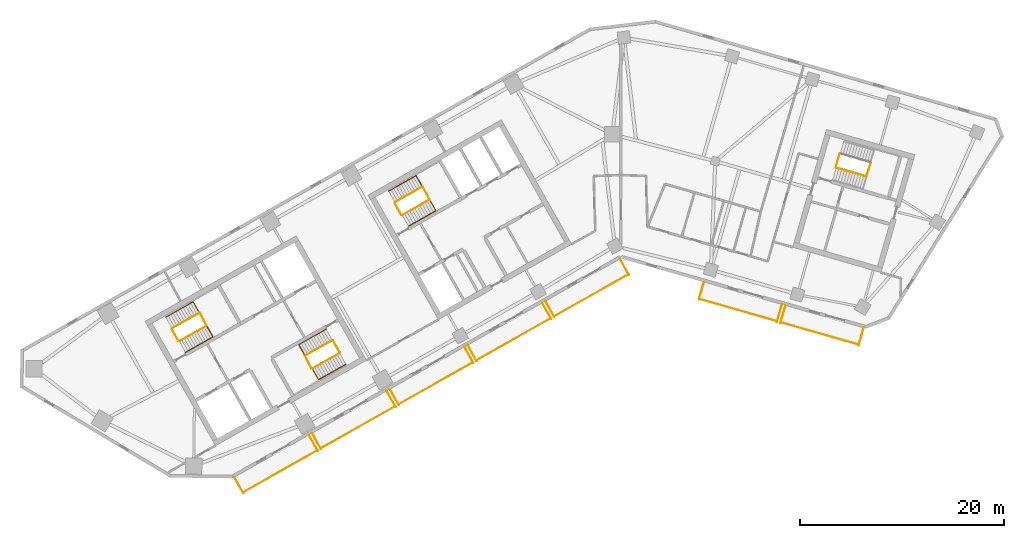
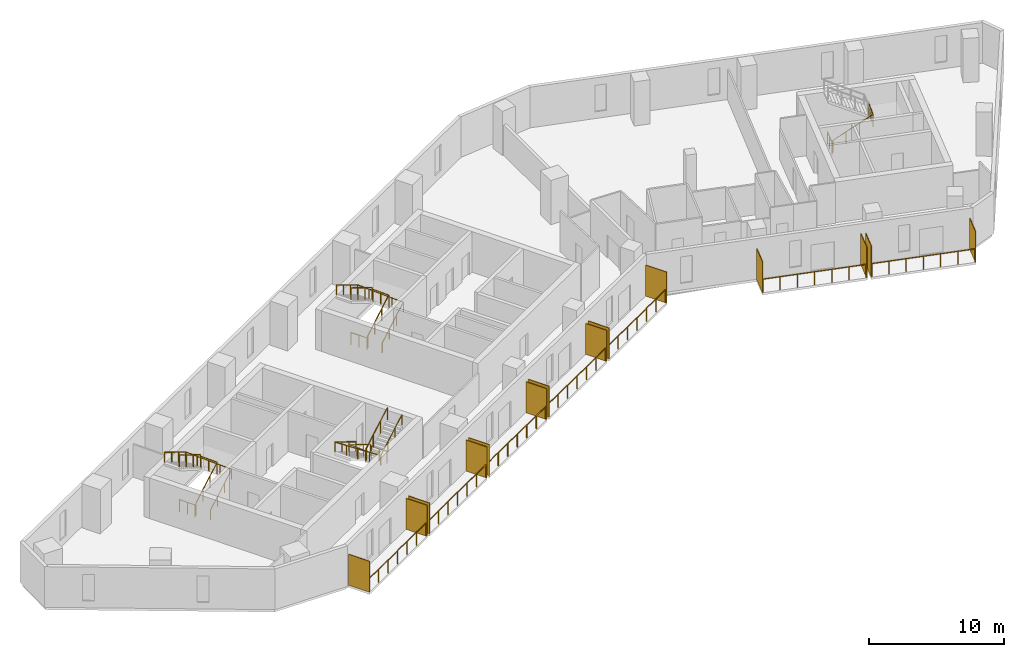
# One storey, part 8 of 9: 21 railings, 14 shading devices.
"""IFC4 building model written with IfcOpenShell, lengths in metres."""

from ifc_helpers import new_model, si_unit, direction, frame, origin, origin_2d, place, context, subcontext, project, spatial, rectangle, circle, extrude, material, layer, layer_set, type_object, element, save


model = new_model("IFC4")

# Units and contexts
model_context = context("Model", 3, precision=1e-05, world=origin(), true_north=direction((0.0, 1.0)))
body_context = subcontext(model_context, "Body", "Model", "MODEL_VIEW")
ifc_project = project(units=[si_unit("LENGTHUNIT", "METRE"), si_unit("AREAUNIT", "SQUARE_METRE"), si_unit("VOLUMEUNIT", "CUBIC_METRE"), si_unit("PLANEANGLEUNIT", "RADIAN"), si_unit("MASSUNIT", "GRAM", prefix="KILO")], contexts=[model_context])

# Site, building, storey
site_placement = place(None, origin())
site = spatial("IfcSite", under=ifc_project, at=site_placement, CompositionType="ELEMENT")
building_placement = place(site_placement, origin())
building = spatial("IfcBuilding", under=site, at=building_placement, Name="Binnacle Exchange Tower", CompositionType="ELEMENT")
storey_placement = place(building_placement, frame((0.0, 0.0, 166.89990234375)))
storey = spatial("IfcBuildingStorey", under=building, at=storey_placement, Name="L35", CompositionType="ELEMENT", Elevation=166.89990234375)

# Railings
ifc_material_1 = material(Name="Bronze anodised aluminium frame", Category="aluminium")
railing_type_1 = type_object("IfcRailingType", Name="GUARD 1200", PredefinedType="GUARDRAIL", material=ifc_material_1)
railing_1_placement = place(storey_placement, frame((-36.994140625, 24.921142578125, 0.0)))
element("IfcRailing", 1, at=railing_1_placement, inside=storey, type_object=railing_type_1, Name="Balcony guard G01-B00 L35", PredefinedType="GUARDRAIL", context=body_context, shape_type="SweptSolid", body=[
    extrude(circle(Radius=0.02392578125, at=origin_2d()), frame((0.0, 0.0, 1.17578125), z_axis=(0.8703461643, 0.49244040684, 0.0), x_axis=(-0.49244040684, 0.8703461643, 0.0)), (0.0, 0.0, 1.0), 8.33447265625),
    extrude(circle(Radius=0.02099609375, at=origin_2d()), origin(), (0.0, 0.0, 1.0), 1.15185546875),
    extrude(circle(Radius=0.02099609375, at=origin_2d()), frame((1.208984375, 0.68408203125, 0.0)), (0.0, 0.0, 1.0), 1.15185546875),
    extrude(circle(Radius=0.02099609375, at=origin_2d()), frame((2.41796875, 1.3681640625, 0.0)), (0.0, 0.0, 1.0), 1.15185546875),
    extrude(circle(Radius=0.02099609375, at=origin_2d()), frame((3.626953125, 2.05224609375, 0.0)), (0.0, 0.0, 1.0), 1.15185546875),
    extrude(circle(Radius=0.02099609375, at=origin_2d()), frame((4.8359375, 2.736083984375, 0.0)), (0.0, 0.0, 1.0), 1.15185546875),
    extrude(circle(Radius=0.02099609375, at=origin_2d()), frame((6.044921875, 3.420166015625, 0.0)), (0.0, 0.0, 1.0), 1.15185546875),
    extrude(circle(Radius=0.02099609375, at=origin_2d()), frame((7.25390625, 4.104248046875, 0.0)), (0.0, 0.0, 1.0), 1.15185546875),
])
railing_2_placement = place(storey_placement, frame((-29.374755859375, 29.232177734375, 0.0)))
element("IfcRailing", 2, at=railing_2_placement, inside=storey, type_object=railing_type_1, Name="Balcony guard G01-B01 L35", PredefinedType="GUARDRAIL", context=body_context, shape_type="SweptSolid", body=[
    extrude(circle(Radius=0.02392578125, at=origin_2d()), frame((0.0, 0.0, 1.17578125), z_axis=(0.870365821494, 0.492405662818, 0.0), x_axis=(-0.492405662818, 0.870365821494, 0.0)), (0.0, 0.0, 1.0), 8.334716796875),
    extrude(circle(Radius=0.02099609375, at=origin_2d()), origin(), (0.0, 0.0, 1.0), 1.15185546875),
    extrude(circle(Radius=0.02099609375, at=origin_2d()), frame((1.208984375, 0.68408203125, 0.0)), (0.0, 0.0, 1.0), 1.15185546875),
    extrude(circle(Radius=0.02099609375, at=origin_2d()), frame((2.41796875, 1.367919921875, 0.0)), (0.0, 0.0, 1.0), 1.15185546875),
    extrude(circle(Radius=0.02099609375, at=origin_2d()), frame((3.626953125, 2.052001953125, 0.0)), (0.0, 0.0, 1.0), 1.15185546875),
    extrude(circle(Radius=0.02099609375, at=origin_2d()), frame((4.836181640625, 2.736083984375, 0.0)), (0.0, 0.0, 1.0), 1.15185546875),
    extrude(circle(Radius=0.02099609375, at=origin_2d()), frame((6.045166015625, 3.419921875, 0.0)), (0.0, 0.0, 1.0), 1.15185546875),
    extrude(circle(Radius=0.02099609375, at=origin_2d()), frame((7.254150390625, 4.10400390625, 0.0)), (0.0, 0.0, 1.0), 1.15185546875),
])
railing_3_placement = place(storey_placement, frame((-21.7548828125, 33.54296875, 0.0)))
element("IfcRailing", 3, at=railing_3_placement, inside=storey, type_object=railing_type_1, Name="Balcony guard G01-B02 L35", PredefinedType="GUARDRAIL", context=body_context, shape_type="SweptSolid", body=[
    extrude(circle(Radius=0.02392578125, at=origin_2d()), frame((0.0, 0.0, 1.17578125), z_axis=(0.870339060608, 0.492452961795, 0.0), x_axis=(-0.492452961795, 0.870339060608, 0.0)), (0.0, 0.0, 1.0), 8.334228515625),
    extrude(circle(Radius=0.02099609375, at=origin_2d()), origin(), (0.0, 0.0, 1.0), 1.15185546875),
    extrude(circle(Radius=0.02099609375, at=origin_2d()), frame((1.208984375, 0.68408203125, 0.0)), (0.0, 0.0, 1.0), 1.15185546875),
    extrude(circle(Radius=0.02099609375, at=origin_2d()), frame((2.41796875, 1.3681640625, 0.0)), (0.0, 0.0, 1.0), 1.15185546875),
    extrude(circle(Radius=0.02099609375, at=origin_2d()), frame((3.626953125, 2.05224609375, 0.0)), (0.0, 0.0, 1.0), 1.15185546875),
    extrude(circle(Radius=0.02099609375, at=origin_2d()), frame((4.835693359375, 2.736083984375, 0.0)), (0.0, 0.0, 1.0), 1.15185546875),
    extrude(circle(Radius=0.02099609375, at=origin_2d()), frame((6.044677734375, 3.420166015625, 0.0)), (0.0, 0.0, 1.0), 1.15185546875),
    extrude(circle(Radius=0.02099609375, at=origin_2d()), frame((7.253662109375, 4.104248046875, 0.0)), (0.0, 0.0, 1.0), 1.15185546875),
])
railing_4_placement = place(storey_placement, frame((-14.135498046875, 37.85400390625, 0.0)))
element("IfcRailing", 4, at=railing_4_placement, inside=storey, type_object=railing_type_1, Name="Balcony guard G01-B03 L35", PredefinedType="GUARDRAIL", context=body_context, shape_type="SweptSolid", body=[
    extrude(circle(Radius=0.02392578125, at=origin_2d()), frame((0.0, 0.0, 1.17578125), z_axis=(0.870365821494, 0.492405662818, 0.0), x_axis=(-0.492405662818, 0.870365821494, 0.0)), (0.0, 0.0, 1.0), 8.334716796875),
    extrude(circle(Radius=0.02099609375, at=origin_2d()), origin(), (0.0, 0.0, 1.0), 1.15185546875),
    extrude(circle(Radius=0.02099609375, at=origin_2d()), frame((1.208984375, 0.68408203125, 0.0)), (0.0, 0.0, 1.0), 1.15185546875),
    extrude(circle(Radius=0.02099609375, at=origin_2d()), frame((2.41796875, 1.367919921875, 0.0)), (0.0, 0.0, 1.0), 1.15185546875),
    extrude(circle(Radius=0.02099609375, at=origin_2d()), frame((3.626953125, 2.052001953125, 0.0)), (0.0, 0.0, 1.0), 1.15185546875),
    extrude(circle(Radius=0.02099609375, at=origin_2d()), frame((4.836181640625, 2.736083984375, 0.0)), (0.0, 0.0, 1.0), 1.15185546875),
    extrude(circle(Radius=0.02099609375, at=origin_2d()), frame((6.045166015625, 3.419921875, 0.0)), (0.0, 0.0, 1.0), 1.15185546875),
    extrude(circle(Radius=0.02099609375, at=origin_2d()), frame((7.254150390625, 4.10400390625, 0.0)), (0.0, 0.0, 1.0), 1.15185546875),
])
railing_5_placement = place(storey_placement, frame((-6.515869140625, 42.164794921875, 0.0)))
element("IfcRailing", 5, at=railing_5_placement, inside=storey, type_object=railing_type_1, Name="Balcony guard G01-B04 L35", PredefinedType="GUARDRAIL", context=body_context, shape_type="SweptSolid", body=[
    extrude(circle(Radius=0.02392578125, at=origin_2d()), frame((0.0, 0.0, 1.17578125), z_axis=(0.8703461643, 0.49244040684, 0.0), x_axis=(-0.49244040684, 0.8703461643, 0.0)), (0.0, 0.0, 1.0), 8.33447265625),
    extrude(circle(Radius=0.02099609375, at=origin_2d()), origin(), (0.0, 0.0, 1.0), 1.15185546875),
    extrude(circle(Radius=0.02099609375, at=origin_2d()), frame((1.208984375, 0.68408203125, 0.0)), (0.0, 0.0, 1.0), 1.15185546875),
    extrude(circle(Radius=0.02099609375, at=origin_2d()), frame((2.41796875, 1.3681640625, 0.0)), (0.0, 0.0, 1.0), 1.15185546875),
    extrude(circle(Radius=0.02099609375, at=origin_2d()), frame((3.626953125, 2.05224609375, 0.0)), (0.0, 0.0, 1.0), 1.15185546875),
    extrude(circle(Radius=0.02099609375, at=origin_2d()), frame((4.8359375, 2.736083984375, 0.0)), (0.0, 0.0, 1.0), 1.15185546875),
    extrude(circle(Radius=0.02099609375, at=origin_2d()), frame((6.044921875, 3.420166015625, 0.0)), (0.0, 0.0, 1.0), 1.15185546875),
    extrude(circle(Radius=0.02099609375, at=origin_2d()), frame((7.25390625, 4.104248046875, 0.0)), (0.0, 0.0, 1.0), 1.15185546875),
])
for number, where, name in (
    (6, (7.6845703125, 43.85107421875, 0.0), "Balcony guard G02-B01 L35"),
    (7, (15.6826171875, 41.5576171875, 0.0), "Balcony guard G02-B02 L35"),
):
    element("IfcRailing", number, at=place(storey_placement, frame(where)), inside=storey, type_object=railing_type_1, Name=name, PredefinedType="GUARDRAIL", context=body_context, shape_type="SweptSolid", body=[
        extrude(circle(Radius=0.02392578125, at=origin_2d()), frame((0.0, 0.0, 1.17578125), z_axis=(0.961265805968, -0.275623022035, 0.0), x_axis=(0.275623022035, 0.961265805968, 0.0)), (0.0, 0.0, 1.0), 7.900146484375),
        extrude(circle(Radius=0.02099609375, at=origin_2d()), origin(), (0.0, 0.0, 1.0), 1.15185546875),
        extrude(circle(Radius=0.02099609375, at=origin_2d()), frame((1.265625, -0.36279296875, 0.0)), (0.0, 0.0, 1.0), 1.15185546875),
        extrude(circle(Radius=0.02099609375, at=origin_2d()), frame((2.531494140625, -0.725830078125, 0.0)), (0.0, 0.0, 1.0), 1.15185546875),
        extrude(circle(Radius=0.02099609375, at=origin_2d()), frame((3.797119140625, -1.0888671875, 0.0)), (0.0, 0.0, 1.0), 1.15185546875),
        extrude(circle(Radius=0.02099609375, at=origin_2d()), frame((5.062744140625, -1.45166015625, 0.0)), (0.0, 0.0, 1.0), 1.15185546875),
        extrude(circle(Radius=0.02099609375, at=origin_2d()), frame((6.32861328125, -1.814453125, 0.0)), (0.0, 0.0, 1.0), 1.15185546875),
        extrude(circle(Radius=0.02099609375, at=origin_2d()), frame((7.59423828125, -2.177490234375, 0.0)), (0.0, 0.0, 1.0), 1.15185546875),
    ])

# Shading devices
ifc_material_2 = material(Name="Bronze aluminium louvre", Category="aluminium")
ifc_layer = layer(ifc_material_2, 0.06005859375)
ifc_layer_set = layer_set([ifc_layer], Name="PLANTED SCREEN 60x2800")
shading_device_type = type_object("IfcShadingDeviceType", Name="PLANTED SCREEN 60x2800", PredefinedType="USERDEFINED", material=ifc_layer_set)
for number, where, z_axis, x_axis, name in (
    (8, (-37.424072265625, 25.6201171875, 0.0), (0.0, 0.0, 1.0), (0.87035569594, 0.492423560103, 0.0), "Planted screen G01-B00a L35"),
    (9, (-30.117919921875, 29.753662109375, 0.0), (0.0, 0.0, 1.0), (0.87035569594, 0.492423560103, 0.0), "Planted screen G01-B00b L35"),
    (10, (-29.8046875, 29.930908203125, 0.0), (0.0, 0.0, 1.0), (0.87035569594, 0.492423560103, 0.0), "Planted screen G01-B01a L35"),
    (11, (-22.498291015625, 34.064697265625, 0.0), (0.0, 0.0, 1.0), (0.87035569594, 0.492423560103, 0.0), "Planted screen G01-B01b L35"),
    (12, (-22.184814453125, 34.241943359375, 0.0), (0.0, 0.0, 1.0), (0.87035569594, 0.492423560103, 0.0), "Planted screen G01-B02a L35"),
    (13, (-14.878662109375, 38.37548828125, 0.0), (0.0, 0.0, 1.0), (0.87035569594, 0.492423560103, 0.0), "Planted screen G01-B02b L35"),
    (14, (-14.5654296875, 38.552978515625, 0.0), (0.0, 0.0, 1.0), (0.87035569594, 0.492423560103, 0.0), "Planted screen G01-B03a L35"),
    (15, (-7.259033203125, 42.6865234375, 0.0), (0.0, 0.0, 1.0), (0.87035569594, 0.492423560103, 0.0), "Planted screen G01-B03b L35"),
    (16, (-6.94580078125, 42.864013671875, 0.0), (0.0, 0.0, 1.0), (0.87035569594, 0.492423560103, 0.0), "Planted screen G01-B04a L35"),
    (17, (0.3603515625, 46.99755859375, 0.0), (0.0, 0.0, 1.0), (0.87035569594, 0.492423560103, 0.0), "Planted screen G01-B04b L35"),
    (18, (7.881591796875, 44.647705078125, 0.0), (0.0, 0.0, 1.0), (0.961261695938, -0.275637355817, 0.0), "Planted screen G02-B01a L35"),
    (19, (15.53369140625, 42.45361328125, 0.0), (0.0, 0.0, 1.0), (0.961261695938, -0.275637355817, 0.0), "Planted screen G02-B01b L35"),
    (20, (15.8798828125, 42.354248046875, 0.0), (0.0, 0.0, 1.0), (0.961261695938, -0.275637355817, 0.0), "Planted screen G02-B02a L35"),
    (21, (23.53173828125, 40.16015625, 0.0), (0.0, 0.0, 1.0), (0.961261695938, -0.275637355817, 0.0), "Planted screen G02-B02b L35"),
):
    element("IfcShadingDevice", number, at=place(storey_placement, frame(where, z_axis=z_axis, x_axis=x_axis)), inside=storey, type_object=shading_device_type, Name=name, ObjectType="SCREEN", PredefinedType="USERDEFINED", context=body_context, shape_type="SweptSolid", body=[
        extrude(rectangle(XDim=0.06005859375, YDim=1.800048828125, at=origin_2d()), origin(), (0.0, 0.0, 1.0), 2.800048828125),
    ])

# Railings
ifc_material_3 = material(Name="Steel guard rail", Category="steel")
railing_type_2 = type_object("IfcRailingType", Name="STAIR GUARD 1100", PredefinedType="GUARDRAIL", material=ifc_material_3)
railing_6_placement = place(storey_placement, frame((-43.26171875, 39.71728515625, 0.166748046875)))
element("IfcRailing", 22, at=railing_6_placement, inside=storey, type_object=railing_type_2, Name="L35 STA1 stair guard 1", PredefinedType="GUARDRAIL", context=body_context, shape_type="SweptSolid", body=[
    extrude(circle(Radius=0.02392578125, at=origin_2d()), frame((0.0, 0.0, 1.076171875), z_axis=(0.747900833971, 0.423129324283, 0.511474258861), x_axis=(-0.492412445098, 0.870361984414, 0.0)), (0.0, 0.0, 1.0), 3.584228515625),
    extrude(circle(Radius=0.02392578125, at=origin_2d()), frame((2.6806640625, 1.5166015625, 2.9091796875), z_axis=(-0.461100321709, 0.887348011391, 0.0), x_axis=(-0.887348011391, -0.461100321709, 0.0)), (0.0, 0.0, 1.0), 1.40087890625),
    extrude(circle(Radius=0.02099609375, at=origin_2d()), origin(), (0.0, 0.0, 1.0), 1.052001953125),
    extrude(circle(Radius=0.02099609375, at=origin_2d()), frame((0.8935546875, 0.505615234375, 0.611083984375)), (0.0, 0.0, 1.0), 1.052001953125),
    extrude(circle(Radius=0.02099609375, at=origin_2d()), frame((1.787109375, 1.010986328125, 1.22216796875)), (0.0, 0.0, 1.0), 1.052001953125),
    extrude(circle(Radius=0.02099609375, at=origin_2d()), frame((2.6806640625, 1.5166015625, 1.833251953125)), (0.0, 0.0, 1.0), 1.052001953125),
    extrude(circle(Radius=0.02099609375, at=origin_2d()), frame((2.357666015625, 2.13818359375, 1.833251953125)), (0.0, 0.0, 1.0), 1.052001953125),
    extrude(circle(Radius=0.02099609375, at=origin_2d()), frame((2.03466796875, 2.759765625, 1.833251953125)), (0.0, 0.0, 1.0), 1.052001953125),
])
railing_7_placement = place(storey_placement, frame((-41.295166015625, 42.49609375, 2.166748046875)))
element("IfcRailing", 23, at=railing_7_placement, inside=storey, type_object=railing_type_2, Name="L35 STA1 stair guard 2", PredefinedType="GUARDRAIL", context=body_context, shape_type="SweptSolid", body=[
    extrude(circle(Radius=0.02392578125, at=origin_2d()), frame((0.0, 0.0, 1.076171875), z_axis=(-0.747879277632, -0.423185241524, 0.511459516916), x_axis=(0.492472489424, -0.870328011247, 0.0)), (0.0, 0.0, 1.0), 3.58447265625),
    extrude(circle(Radius=0.02099609375, at=origin_2d()), origin(), (0.0, 0.0, 1.0), 1.052001953125),
    extrude(circle(Radius=0.02099609375, at=origin_2d()), frame((-0.8935546875, -0.505615234375, 0.611083984375)), (0.0, 0.0, 1.0), 1.052001953125),
    extrude(circle(Radius=0.02099609375, at=origin_2d()), frame((-1.787109375, -1.01123046875, 1.22216796875)), (0.0, 0.0, 1.0), 1.052001953125),
    extrude(circle(Radius=0.02099609375, at=origin_2d()), frame((-2.6806640625, -1.516845703125, 1.833251953125)), (0.0, 0.0, 1.0), 1.052001953125),
])
railing_8_placement = place(storey_placement, frame((-43.329833984375, 39.736328125, 0.0)))
element("IfcRailing", 24, at=railing_8_placement, inside=storey, type_object=railing_type_2, Name="L35 STA1 stair guard 3", PredefinedType="GUARDRAIL", context=body_context, shape_type="SweptSolid", body=[
    extrude(circle(Radius=0.02392578125, at=origin_2d()), frame((0.0, 0.0, 1.076171875), z_axis=(-0.4924922531, 0.870316827734, 0.0), x_axis=(-0.870316827734, -0.4924922531, 0.0)), (0.0, 0.0, 1.0), 1.349853515625),
    extrude(circle(Radius=0.02099609375, at=origin_2d()), origin(), (0.0, 0.0, 1.0), 1.052001953125),
    extrude(circle(Radius=0.02099609375, at=origin_2d()), frame((-0.33251953125, 0.58740234375, 0.0)), (0.0, 0.0, 1.0), 1.052001953125),
    extrude(circle(Radius=0.02099609375, at=origin_2d()), frame((-0.664794921875, 1.1748046875, 0.0)), (0.0, 0.0, 1.0), 1.052001953125),
])
railing_9_placement = place(storey_placement, frame((-28.265380859375, 39.814453125, 0.166748046875)))
element("IfcRailing", 25, at=railing_9_placement, inside=storey, type_object=railing_type_2, Name="L35 STA2 stair guard 1", PredefinedType="GUARDRAIL", context=body_context, shape_type="SweptSolid", body=[
    extrude(circle(Radius=0.02392578125, at=origin_2d()), frame((0.0, 0.0, 1.076171875), z_axis=(-0.747900833971, -0.423129324283, 0.511474258861), x_axis=(0.492412445098, -0.870361984414, 0.0)), (0.0, 0.0, 1.0), 3.584228515625),
    extrude(circle(Radius=0.02392578125, at=origin_2d()), frame((-2.6806640625, -1.5166015625, 2.9091796875), z_axis=(0.460963092712, -0.887419307406, 0.0), x_axis=(0.887419307406, 0.460963092712, 0.0)), (0.0, 0.0, 1.0), 1.40087890625),
    extrude(circle(Radius=0.02099609375, at=origin_2d()), origin(), (0.0, 0.0, 1.0), 1.052001953125),
    extrude(circle(Radius=0.02099609375, at=origin_2d()), frame((-0.8935546875, -0.505615234375, 0.611083984375)), (0.0, 0.0, 1.0), 1.052001953125),
    extrude(circle(Radius=0.02099609375, at=origin_2d()), frame((-1.787109375, -1.010986328125, 1.22216796875)), (0.0, 0.0, 1.0), 1.052001953125),
    extrude(circle(Radius=0.02099609375, at=origin_2d()), frame((-2.6806640625, -1.5166015625, 1.833251953125)), (0.0, 0.0, 1.0), 1.052001953125),
    extrude(circle(Radius=0.02099609375, at=origin_2d()), frame((-2.35791015625, -2.13818359375, 1.833251953125)), (0.0, 0.0, 1.0), 1.052001953125),
    extrude(circle(Radius=0.02099609375, at=origin_2d()), frame((-2.034912109375, -2.759765625, 1.833251953125)), (0.0, 0.0, 1.0), 1.052001953125),
])
railing_10_placement = place(storey_placement, frame((-30.232177734375, 37.035888671875, 2.166748046875)))
element("IfcRailing", 26, at=railing_10_placement, inside=storey, type_object=railing_type_2, Name="L35 STA2 stair guard 2", PredefinedType="GUARDRAIL", context=body_context, shape_type="SweptSolid", body=[
    extrude(circle(Radius=0.02392578125, at=origin_2d()), frame((0.0, 0.0, 1.076171875), z_axis=(0.747900833971, 0.423129324283, 0.511474258861), x_axis=(-0.492412445098, 0.870361984414, 0.0)), (0.0, 0.0, 1.0), 3.584228515625),
    extrude(circle(Radius=0.02099609375, at=origin_2d()), origin(), (0.0, 0.0, 1.0), 1.052001953125),
    extrude(circle(Radius=0.02099609375, at=origin_2d()), frame((0.8935546875, 0.505615234375, 0.611083984375)), (0.0, 0.0, 1.0), 1.052001953125),
    extrude(circle(Radius=0.02099609375, at=origin_2d()), frame((1.787109375, 1.010986328125, 1.22216796875)), (0.0, 0.0, 1.0), 1.052001953125),
    extrude(circle(Radius=0.02099609375, at=origin_2d()), frame((2.6806640625, 1.5166015625, 1.833251953125)), (0.0, 0.0, 1.0), 1.052001953125),
])
railing_11_placement = place(storey_placement, frame((-28.197265625, 39.795654296875, 0.0)))
element("IfcRailing", 27, at=railing_11_placement, inside=storey, type_object=railing_type_2, Name="L35 STA2 stair guard 3", PredefinedType="GUARDRAIL", context=body_context, shape_type="SweptSolid", body=[
    extrude(circle(Radius=0.02392578125, at=origin_2d()), frame((0.0, 0.0, 1.076171875), z_axis=(0.49241474071, -0.870360685654, 0.0), x_axis=(0.870360685654, 0.49241474071, 0.0)), (0.0, 0.0, 1.0), 1.35009765625),
    extrude(circle(Radius=0.02099609375, at=origin_2d()), origin(), (0.0, 0.0, 1.0), 1.052001953125),
    extrude(circle(Radius=0.02099609375, at=origin_2d()), frame((0.33251953125, -0.58740234375, 0.0)), (0.0, 0.0, 1.0), 1.052001953125),
    extrude(circle(Radius=0.02099609375, at=origin_2d()), frame((0.664794921875, -1.175048828125, 0.0)), (0.0, 0.0, 1.0), 1.052001953125),
])
railing_12_placement = place(storey_placement, frame((-21.423828125, 52.07275390625, 0.166748046875)))
element("IfcRailing", 28, at=railing_12_placement, inside=storey, type_object=railing_type_2, Name="L35 STC1 stair guard 1", PredefinedType="GUARDRAIL", context=body_context, shape_type="SweptSolid", body=[
    extrude(circle(Radius=0.02392578125, at=origin_2d()), frame((0.0, 0.0, 1.076171875), z_axis=(0.747900833971, 0.423129324283, 0.511474258861), x_axis=(-0.492412445098, 0.870361984414, 0.0)), (0.0, 0.0, 1.0), 3.584228515625),
    extrude(circle(Radius=0.02392578125, at=origin_2d()), frame((2.6806640625, 1.5166015625, 2.9091796875), z_axis=(-0.460963092712, 0.887419307406, 0.0), x_axis=(-0.887419307406, -0.460963092712, 0.0)), (0.0, 0.0, 1.0), 1.40087890625),
    extrude(circle(Radius=0.02099609375, at=origin_2d()), origin(), (0.0, 0.0, 1.0), 1.052001953125),
    extrude(circle(Radius=0.02099609375, at=origin_2d()), frame((0.8935546875, 0.505615234375, 0.611083984375)), (0.0, 0.0, 1.0), 1.052001953125),
    extrude(circle(Radius=0.02099609375, at=origin_2d()), frame((1.787109375, 1.010986328125, 1.22216796875)), (0.0, 0.0, 1.0), 1.052001953125),
    extrude(circle(Radius=0.02099609375, at=origin_2d()), frame((2.6806640625, 1.5166015625, 1.833251953125)), (0.0, 0.0, 1.0), 1.052001953125),
    extrude(circle(Radius=0.02099609375, at=origin_2d()), frame((2.35791015625, 2.13818359375, 1.833251953125)), (0.0, 0.0, 1.0), 1.052001953125),
    extrude(circle(Radius=0.02099609375, at=origin_2d()), frame((2.034912109375, 2.759765625, 1.833251953125)), (0.0, 0.0, 1.0), 1.052001953125),
])
railing_13_placement = place(storey_placement, frame((-19.45703125, 54.851318359375, 2.166748046875)))
element("IfcRailing", 29, at=railing_13_placement, inside=storey, type_object=railing_type_2, Name="L35 STC1 stair guard 2", PredefinedType="GUARDRAIL", context=body_context, shape_type="SweptSolid", body=[
    extrude(circle(Radius=0.02392578125, at=origin_2d()), frame((0.0, 0.0, 1.076171875), z_axis=(-0.747900833971, -0.423129324283, 0.511474258861), x_axis=(0.492412445098, -0.870361984414, 0.0)), (0.0, 0.0, 1.0), 3.584228515625),
    extrude(circle(Radius=0.02099609375, at=origin_2d()), origin(), (0.0, 0.0, 1.0), 1.052001953125),
    extrude(circle(Radius=0.02099609375, at=origin_2d()), frame((-0.8935546875, -0.505615234375, 0.611083984375)), (0.0, 0.0, 1.0), 1.052001953125),
    extrude(circle(Radius=0.02099609375, at=origin_2d()), frame((-1.787109375, -1.010986328125, 1.22216796875)), (0.0, 0.0, 1.0), 1.052001953125),
    extrude(circle(Radius=0.02099609375, at=origin_2d()), frame((-2.6806640625, -1.5166015625, 1.833251953125)), (0.0, 0.0, 1.0), 1.052001953125),
])
railing_14_placement = place(storey_placement, frame((-21.491943359375, 52.091552734375, 0.0)))
element("IfcRailing", 30, at=railing_14_placement, inside=storey, type_object=railing_type_2, Name="L35 STC1 stair guard 3", PredefinedType="GUARDRAIL", context=body_context, shape_type="SweptSolid", body=[
    extrude(circle(Radius=0.02392578125, at=origin_2d()), frame((0.0, 0.0, 1.076171875), z_axis=(-0.49241474071, 0.870360685654, 0.0), x_axis=(-0.870360685654, -0.49241474071, 0.0)), (0.0, 0.0, 1.0), 1.35009765625),
    extrude(circle(Radius=0.02099609375, at=origin_2d()), origin(), (0.0, 0.0, 1.0), 1.052001953125),
    extrude(circle(Radius=0.02099609375, at=origin_2d()), frame((-0.33251953125, 0.58740234375, 0.0)), (0.0, 0.0, 1.0), 1.052001953125),
    extrude(circle(Radius=0.02099609375, at=origin_2d()), frame((-0.664794921875, 1.175048828125, 0.0)), (0.0, 0.0, 1.0), 1.052001953125),
])
railing_15_placement = place(storey_placement, frame((21.086669921875, 56.71044921875, 0.166748046875)))
element("IfcRailing", 31, at=railing_15_placement, inside=storey, type_object=railing_type_2, Name="L35 STD1 stair guard 1", PredefinedType="GUARDRAIL", context=body_context, shape_type="SweptSolid", body=[
    extrude(circle(Radius=0.02392578125, at=origin_2d()), frame((0.0, 0.0, 1.076171875), z_axis=(0.826006950853, -0.236897186037, 0.511460888427), x_axis=(0.27568413623, 0.961248280639, 0.0)), (0.0, 0.0, 1.0), 3.584228515625),
    extrude(circle(Radius=0.02392578125, at=origin_2d()), frame((2.960693359375, -0.84912109375, 2.9091796875), z_axis=(0.309684985722, 0.950839213337, 0.0), x_axis=(-0.950839213337, 0.309684985722, 0.0)), (0.0, 0.0, 1.0), 1.40087890625),
    extrude(circle(Radius=0.02099609375, at=origin_2d()), origin(), (0.0, 0.0, 1.0), 1.052001953125),
    extrude(circle(Radius=0.02099609375, at=origin_2d()), frame((0.98681640625, -0.282958984375, 0.611083984375)), (0.0, 0.0, 1.0), 1.052001953125),
    extrude(circle(Radius=0.02099609375, at=origin_2d()), frame((1.973876953125, -0.566162109375, 1.22216796875)), (0.0, 0.0, 1.0), 1.052001953125),
    extrude(circle(Radius=0.02099609375, at=origin_2d()), frame((2.960693359375, -0.84912109375, 1.833251953125)), (0.0, 0.0, 1.0), 1.052001953125),
    extrude(circle(Radius=0.02099609375, at=origin_2d()), frame((3.177734375, -0.18310546875, 1.833251953125)), (0.0, 0.0, 1.0), 1.052001953125),
    extrude(circle(Radius=0.02099609375, at=origin_2d()), frame((3.39453125, 0.48291015625, 1.833251953125)), (0.0, 0.0, 1.0), 1.052001953125),
])
railing_16_placement = place(storey_placement, frame((21.05224609375, 56.772216796875, 0.0)))
element("IfcRailing", 32, at=railing_16_placement, inside=storey, type_object=railing_type_2, Name="L35 STD1 stair guard 3", PredefinedType="GUARDRAIL", context=body_context, shape_type="SweptSolid", body=[
    extrude(circle(Radius=0.02392578125, at=origin_2d()), frame((0.0, 0.0, 1.076171875), z_axis=(0.275795817769, 0.961216243569, 0.0), x_axis=(-0.961216243569, 0.275795817769, 0.0)), (0.0, 0.0, 1.0), 1.349853515625),
    extrude(circle(Radius=0.02099609375, at=origin_2d()), origin(), (0.0, 0.0, 1.0), 1.052001953125),
    extrude(circle(Radius=0.02099609375, at=origin_2d()), frame((0.18603515625, 0.64892578125, 0.0)), (0.0, 0.0, 1.0), 1.052001953125),
    extrude(circle(Radius=0.02099609375, at=origin_2d()), frame((0.372314453125, 1.297607421875, 0.0)), (0.0, 0.0, 1.0), 1.052001953125),
])
ifc_material_4 = material(Name="Steel handrail", Category="steel")
railing_type_3 = type_object("IfcRailingType", Name="STAIR HANDRAIL 900", PredefinedType="HANDRAIL", material=ifc_material_4)
railing_17_placement = place(storey_placement, frame((-42.646240234375, 38.62939453125, 0.166748046875)))
element("IfcRailing", 33, at=railing_17_placement, inside=storey, type_object=railing_type_3, Name="L35 STA1 stair handrail 1", PredefinedType="HANDRAIL", context=body_context, shape_type="SweptSolid", body=[
    extrude(circle(Radius=0.02392578125, at=origin_2d()), frame((0.0, 0.0, 0.8759765625), z_axis=(0.747900833971, 0.423129324283, 0.511474258861), x_axis=(-0.492412445098, 0.870361984414, 0.0)), (0.0, 0.0, 1.0), 3.584228515625),
    extrude(circle(Radius=0.02392578125, at=origin_2d()), frame((2.6806640625, 1.5166015625, 2.708984375), z_axis=(-0.491975462752, 0.869586854082, 0.042176382711), x_axis=(-0.870361318571, -0.492413622004, 0.0)), (0.0, 0.0, 1.0), 3.95361328125),
    extrude(circle(Radius=0.02392578125, at=origin_2d()), frame((0.735595703125, 4.95458984375, 2.8759765625), z_axis=(-0.747900833971, -0.423129324283, 0.511474258861), x_axis=(0.492412445098, -0.870361984414, 0.0)), (0.0, 0.0, 1.0), 3.584228515625),
    extrude(circle(Radius=0.02099609375, at=origin_2d()), origin(), (0.0, 0.0, 1.0), 0.851806640625),
    extrude(circle(Radius=0.02099609375, at=origin_2d()), frame((0.8935546875, 0.505615234375, 0.611083984375)), (0.0, 0.0, 1.0), 0.851806640625),
    extrude(circle(Radius=0.02099609375, at=origin_2d()), frame((1.787109375, 1.010986328125, 1.22216796875)), (0.0, 0.0, 1.0), 0.851806640625),
    extrude(circle(Radius=0.02099609375, at=origin_2d()), frame((2.6806640625, 1.5166015625, 1.833251953125)), (0.0, 0.0, 1.0), 0.851806640625),
    extrude(circle(Radius=0.02099609375, at=origin_2d()), frame((2.1943359375, 2.3759765625, 1.875)), (0.0, 0.0, 1.0), 0.851806640625),
    extrude(circle(Radius=0.02099609375, at=origin_2d()), frame((1.7080078125, 3.235595703125, 1.91650390625)), (0.0, 0.0, 1.0), 0.851806640625),
    extrude(circle(Radius=0.02099609375, at=origin_2d()), frame((1.221923828125, 4.09521484375, 1.958251953125)), (0.0, 0.0, 1.0), 0.851806640625),
    extrude(circle(Radius=0.02099609375, at=origin_2d()), frame((0.735595703125, 4.95458984375, 2.0)), (0.0, 0.0, 1.0), 0.851806640625),
    extrude(circle(Radius=0.02099609375, at=origin_2d()), frame((-0.157958984375, 4.448974609375, 2.611083984375)), (0.0, 0.0, 1.0), 0.851806640625),
    extrude(circle(Radius=0.02099609375, at=origin_2d()), frame((-1.051513671875, 3.943603515625, 3.22216796875)), (0.0, 0.0, 1.0), 0.851806640625),
    extrude(circle(Radius=0.02099609375, at=origin_2d()), frame((-1.945068359375, 3.43798828125, 3.833251953125)), (0.0, 0.0, 1.0), 0.851806640625),
])
railing_18_placement = place(storey_placement, frame((-28.880859375, 40.90234375, 0.166748046875)))
element("IfcRailing", 34, at=railing_18_placement, inside=storey, type_object=railing_type_3, Name="L35 STA2 stair handrail 1", PredefinedType="HANDRAIL", context=body_context, shape_type="SweptSolid", body=[
    extrude(circle(Radius=0.02392578125, at=origin_2d()), frame((0.0, 0.0, 0.8759765625), z_axis=(-0.747930846092, -0.423107769413, 0.511448203561), x_axis=(0.492378474645, -0.870381202524, 0.0)), (0.0, 0.0, 1.0), 3.58447265625),
    extrude(circle(Radius=0.02392578125, at=origin_2d()), frame((-2.680908203125, -1.5166015625, 2.708984375), z_axis=(0.491975462752, -0.869586854082, 0.042176382711), x_axis=(0.870361318571, 0.492413622004, 0.0)), (0.0, 0.0, 1.0), 3.95361328125),
    extrude(circle(Radius=0.02392578125, at=origin_2d()), frame((-0.73583984375, -4.95458984375, 2.8759765625), z_axis=(0.747909291085, 0.423163685048, 0.51143346387), x_axis=(-0.49243851748, 0.870347233294, 0.0)), (0.0, 0.0, 1.0), 3.58447265625),
    extrude(circle(Radius=0.02099609375, at=origin_2d()), origin(), (0.0, 0.0, 1.0), 0.851806640625),
    extrude(circle(Radius=0.02099609375, at=origin_2d()), frame((-0.8935546875, -0.505615234375, 0.611083984375)), (0.0, 0.0, 1.0), 0.851806640625),
    extrude(circle(Radius=0.02099609375, at=origin_2d()), frame((-1.787353515625, -1.010986328125, 1.22216796875)), (0.0, 0.0, 1.0), 0.851806640625),
    extrude(circle(Radius=0.02099609375, at=origin_2d()), frame((-2.680908203125, -1.5166015625, 1.833251953125)), (0.0, 0.0, 1.0), 0.851806640625),
    extrude(circle(Radius=0.02099609375, at=origin_2d()), frame((-2.194580078125, -2.3759765625, 1.875)), (0.0, 0.0, 1.0), 0.851806640625),
    extrude(circle(Radius=0.02099609375, at=origin_2d()), frame((-1.70849609375, -3.235595703125, 1.91650390625)), (0.0, 0.0, 1.0), 0.851806640625),
    extrude(circle(Radius=0.02099609375, at=origin_2d()), frame((-1.22216796875, -4.09521484375, 1.958251953125)), (0.0, 0.0, 1.0), 0.851806640625),
    extrude(circle(Radius=0.02099609375, at=origin_2d()), frame((-0.73583984375, -4.95458984375, 2.0)), (0.0, 0.0, 1.0), 0.851806640625),
    extrude(circle(Radius=0.02099609375, at=origin_2d()), frame((0.15771484375, -4.448974609375, 2.611083984375)), (0.0, 0.0, 1.0), 0.851806640625),
    extrude(circle(Radius=0.02099609375, at=origin_2d()), frame((1.051513671875, -3.943359375, 3.22216796875)), (0.0, 0.0, 1.0), 0.851806640625),
    extrude(circle(Radius=0.02099609375, at=origin_2d()), frame((1.945068359375, -3.437744140625, 3.833251953125)), (0.0, 0.0, 1.0), 0.851806640625),
])
railing_19_placement = place(storey_placement, frame((-20.808349609375, 50.984619140625, 0.166748046875)))
element("IfcRailing", 35, at=railing_19_placement, inside=storey, type_object=railing_type_3, Name="L35 STC1 stair handrail 1", PredefinedType="HANDRAIL", context=body_context, shape_type="SweptSolid", body=[
    extrude(circle(Radius=0.02392578125, at=origin_2d()), frame((0.0, 0.0, 0.8759765625), z_axis=(0.747909291085, 0.423163685048, 0.51143346387), x_axis=(-0.49243851748, 0.870347233294, 0.0)), (0.0, 0.0, 1.0), 3.58447265625),
    extrude(circle(Radius=0.02392578125, at=origin_2d()), frame((2.680908203125, 1.516845703125, 2.708984375), z_axis=(-0.492001882252, 0.86957179666, 0.042178647619), x_axis=(-0.87034633103, -0.492440112159, 0.0)), (0.0, 0.0, 1.0), 3.953369140625),
    extrude(circle(Radius=0.02392578125, at=origin_2d()), frame((0.73583984375, 4.95458984375, 2.8759765625), z_axis=(-0.747930846092, -0.423107769413, 0.511448203561), x_axis=(0.492378474645, -0.870381202524, 0.0)), (0.0, 0.0, 1.0), 3.58447265625),
    extrude(circle(Radius=0.02099609375, at=origin_2d()), origin(), (0.0, 0.0, 1.0), 0.851806640625),
    extrude(circle(Radius=0.02099609375, at=origin_2d()), frame((0.8935546875, 0.505615234375, 0.611083984375)), (0.0, 0.0, 1.0), 0.851806640625),
    extrude(circle(Radius=0.02099609375, at=origin_2d()), frame((1.787353515625, 1.01123046875, 1.22216796875)), (0.0, 0.0, 1.0), 0.851806640625),
    extrude(circle(Radius=0.02099609375, at=origin_2d()), frame((2.680908203125, 1.516845703125, 1.833251953125)), (0.0, 0.0, 1.0), 0.851806640625),
    extrude(circle(Radius=0.02099609375, at=origin_2d()), frame((2.194580078125, 2.376220703125, 1.875)), (0.0, 0.0, 1.0), 0.851806640625),
    extrude(circle(Radius=0.02099609375, at=origin_2d()), frame((1.70849609375, 3.23583984375, 1.91650390625)), (0.0, 0.0, 1.0), 0.851806640625),
    extrude(circle(Radius=0.02099609375, at=origin_2d()), frame((1.22216796875, 4.09521484375, 1.958251953125)), (0.0, 0.0, 1.0), 0.851806640625),
    extrude(circle(Radius=0.02099609375, at=origin_2d()), frame((0.73583984375, 4.95458984375, 2.0)), (0.0, 0.0, 1.0), 0.851806640625),
    extrude(circle(Radius=0.02099609375, at=origin_2d()), frame((-0.15771484375, 4.448974609375, 2.611083984375)), (0.0, 0.0, 1.0), 0.851806640625),
    extrude(circle(Radius=0.02099609375, at=origin_2d()), frame((-1.051513671875, 3.943603515625, 3.22216796875)), (0.0, 0.0, 1.0), 0.851806640625),
    extrude(circle(Radius=0.02099609375, at=origin_2d()), frame((-1.945068359375, 3.43798828125, 3.833251953125)), (0.0, 0.0, 1.0), 0.851806640625),
])

save(model, "model.ifc")
